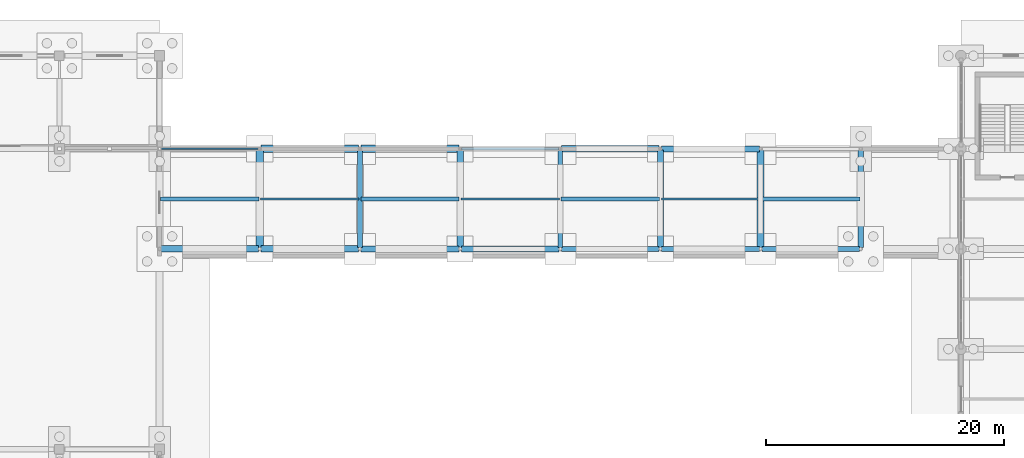
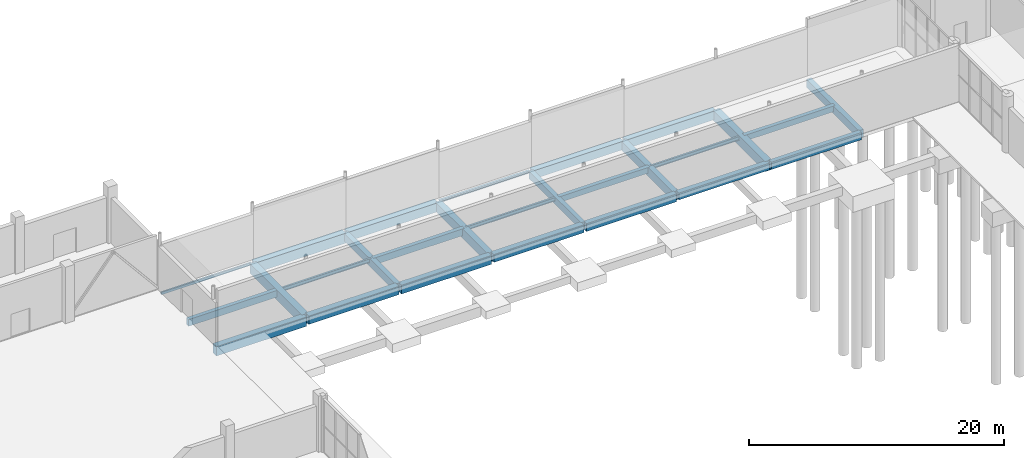
# One storey, part 45 of 82: 27 beams.
"""IFC4 building model written with IfcOpenShell, lengths in metres."""

from ifc_helpers import new_model, si_unit, derived_unit, direction, frame, origin, origin_2d, place, context, subcontext, project, spatial, rectangle, hollow_rectangle, i_section, extrude, material, material_profile, profile_set, type_object, element, save


model = new_model("IFC4")

# Units and contexts
model_context = context("Model", 3, precision=1e-05, world=origin(), true_north=direction((0.0, 1.0)))
body_context = subcontext(model_context, "Body", "Model", "MODEL_VIEW")
ifc_project = project(units=[si_unit("LENGTHUNIT", "METRE"), si_unit("AREAUNIT", "SQUARE_METRE"), si_unit("VOLUMEUNIT", "CUBIC_METRE"), si_unit("PLANEANGLEUNIT", "RADIAN"), si_unit("MASSUNIT", "GRAM", prefix="KILO"), derived_unit("THERMALTRANSMITTANCEUNIT", [(si_unit("POWERUNIT", "WATT"), 1), (si_unit("LENGTHUNIT", "METRE"), -2), (si_unit("THERMODYNAMICTEMPERATUREUNIT", "KELVIN"), -1)])], contexts=[model_context])

# Site, building, storey
site_placement = place(None, origin())
site = spatial("IfcSite", under=ifc_project, at=site_placement, CompositionType="ELEMENT")
building_placement = place(site_placement, origin())
building = spatial("IfcBuilding", under=site, at=building_placement, Name="Barrovel Congress Hotel", CompositionType="ELEMENT")
storey_placement = place(building_placement, origin())
storey = spatial("IfcBuildingStorey", under=building, at=storey_placement, Name="L00", CompositionType="ELEMENT", Elevation=0.0)

# Beams
ifc_material_1 = material(Name="Concrete C40", Category="concrete")
ifc_material_profile_1 = material_profile(ifc_material_1, rectangle(XDim=0.35009765625, YDim=0.550048828125, at=origin_2d()), Name="RC350x550")
ifc_profile_set_1 = profile_set([ifc_material_profile_1], Name="Concrete C40")
beam_type_1 = type_object("IfcBeamType", Name="BM-RC350x550", PredefinedType="JOIST", material=ifc_profile_set_1)
for number, where, z_axis, x_axis, name in (
    (1, (92.47998046875, 100.800048828125, -0.594970703125), (1.0, 0.0, 0.0), (0.0, 1.0, 0.0), "JST:L00:92.4:100.8"),
    (2, (109.280029296875, 100.800048828125, -0.594970703125), (1.0, 0.0, 0.0), (0.0, 1.0, 0.0), "JST:L00:109.2:100.8"),
):
    element("IfcBeam", number, at=place(storey_placement, frame(where, z_axis=z_axis, x_axis=x_axis)), inside=storey, type_object=beam_type_1, Name=name, PredefinedType="JOIST", context=body_context, shape_type="SweptSolid", body=[
        extrude(rectangle(XDim=0.35009765625, YDim=0.550048828125, at=origin_2d()), origin(), (0.0, 0.0, 1.0), 8.239990234375),
    ])
ifc_material_profile_2 = material_profile(ifc_material_1, rectangle(XDim=0.35009765625, YDim=0.64990234375, at=origin_2d()), Name="RC350x650")
ifc_profile_set_2 = profile_set([ifc_material_profile_2], Name="Concrete C40")
beam_type_2 = type_object("IfcBeamType", Name="BM-RC350x650", PredefinedType="JOIST", material=ifc_profile_set_2)
beam_1_placement = place(storey_placement, frame((58.8798828125, 100.800048828125, -0.64501953125), z_axis=(1.0, 0.0, 0.0), x_axis=(0.0, 1.0, 0.0)))
element("IfcBeam", 3, at=beam_1_placement, inside=storey, type_object=beam_type_2, Name="JST:L00:58.8:100.8", PredefinedType="JOIST", context=body_context, shape_type="SweptSolid", body=[
    extrude(rectangle(XDim=0.35009765625, YDim=0.64990234375, at=origin_2d()), origin(), (0.0, 0.0, 1.0), 8.240234375),
])
beam_2_placement = place(storey_placement, frame((75.679931640625, 100.800048828125, -0.64501953125), z_axis=(1.0, 0.0, 0.0), x_axis=(0.0, 1.0, 0.0)))
element("IfcBeam", 4, at=beam_2_placement, inside=storey, type_object=beam_type_2, Name="JST:L00:75.6:100.8", PredefinedType="JOIST", context=body_context, shape_type="SweptSolid", body=[
    extrude(rectangle(XDim=0.35009765625, YDim=0.64990234375, at=origin_2d()), origin(), (0.0, 0.0, 1.0), 8.239990234375),
])
ifc_material_profile_3 = material_profile(ifc_material_1, rectangle(XDim=0.39990234375, YDim=0.699951171875, at=origin_2d()), Name="RC400x700")
ifc_profile_set_3 = profile_set([ifc_material_profile_3], Name="Concrete C40")
beam_type_3 = type_object("IfcBeamType", Name="BM-RC400x700", PredefinedType="BEAM", material=ifc_profile_set_3)
for number, where, z_axis, x_axis, name in (
    (5, (109.3095703125, 96.60009765625, -0.669921875), (1.0, 0.0, 0.0), (0.0, 1.0, 0.0), "BMX:L00:96.6:109.2-117.6"),
    (6, (92.39990234375, 96.70947265625, -0.669921875), (0.0, 1.0, 0.0), (-1.0, 0.0, 0.0), "BMY:L00:92.4:96.6-105.0"),
):
    element("IfcBeam", number, at=place(storey_placement, frame(where, z_axis=z_axis, x_axis=x_axis)), inside=storey, type_object=beam_type_3, Name=name, PredefinedType="BEAM", context=body_context, shape_type="SweptSolid", body=[
        extrude(rectangle(XDim=0.39990234375, YDim=0.699951171875, at=origin_2d()), origin(), (0.0, 0.0, 1.0), 8.180908203125),
    ])
ifc_material_profile_4 = material_profile(ifc_material_1, rectangle(XDim=0.449951171875, YDim=0.64990234375, at=origin_2d()), Name="RC450x650")
ifc_profile_set_4 = profile_set([ifc_material_profile_4], Name="Concrete C40")
beam_type_4 = type_object("IfcBeamType", Name="BM-RC450x650", PredefinedType="BEAM", material=ifc_profile_set_4)
beam_3_placement = place(storey_placement, frame((100.909423828125, 96.60009765625, -0.64501953125), z_axis=(1.0, 0.0, 0.0), x_axis=(0.0, 1.0, 0.0)))
element("IfcBeam", 7, at=beam_3_placement, inside=storey, type_object=beam_type_4, Name="BMX:L00:96.6:100.8-109.2", PredefinedType="BEAM", context=body_context, shape_type="SweptSolid", body=[
    extrude(rectangle(XDim=0.449951171875, YDim=0.64990234375, at=origin_2d()), origin(), (0.0, 0.0, 1.0), 8.18115234375),
])
ifc_material_profile_5 = material_profile(ifc_material_1, rectangle(XDim=0.449951171875, YDim=0.75, at=origin_2d()), Name="RC450x750")
ifc_profile_set_5 = profile_set([ifc_material_profile_5], Name="Concrete C40")
beam_type_5 = type_object("IfcBeamType", Name="BM-RC450x750", PredefinedType="BEAM", material=ifc_profile_set_5)
for number, where, z_axis, x_axis, name in (
    (8, (92.509521484375, 96.60009765625, -0.695068359375), (1.0, 0.0, 0.0), (0.0, 1.0, 0.0), "BMX:L00:96.6:92.4-100.8"),
    (9, (75.60009765625, 96.70947265625, -0.695068359375), (0.0, 1.0, 0.0), (-1.0, 0.0, 0.0), "BMY:L00:75.6:96.6-105.0"),
    (10, (117.60009765625, 96.70947265625, -0.695068359375), (0.0, 1.0, 0.0), (-1.0, 0.0, 0.0), "BMY:L00:117.6:96.6-105.0"),
):
    element("IfcBeam", number, at=place(storey_placement, frame(where, z_axis=z_axis, x_axis=x_axis)), inside=storey, type_object=beam_type_5, Name=name, PredefinedType="BEAM", context=body_context, shape_type="SweptSolid", body=[
        extrude(rectangle(XDim=0.449951171875, YDim=0.75, at=origin_2d()), origin(), (0.0, 0.0, 1.0), 8.180908203125),
    ])
ifc_material_profile_6 = material_profile(ifc_material_1, rectangle(XDim=0.5, YDim=0.75, at=origin_2d()), Name="RC500x750")
ifc_profile_set_6 = profile_set([ifc_material_profile_6], Name="Concrete C40")
beam_type_6 = type_object("IfcBeamType", Name="BM-RC500x750", PredefinedType="BEAM", material=ifc_profile_set_6)
beam_4_placement = place(storey_placement, frame((84.109619140625, 96.60009765625, -0.695068359375), z_axis=(1.0, 0.0, 0.0), x_axis=(0.0, 1.0, 0.0)))
element("IfcBeam", 11, at=beam_4_placement, inside=storey, type_object=beam_type_6, Name="BMX:L00:96.6:84.0-92.4", PredefinedType="BEAM", context=body_context, shape_type="SweptSolid", body=[
    extrude(rectangle(XDim=0.5, YDim=0.75, at=origin_2d()), origin(), (0.0, 0.0, 1.0), 8.180908203125),
])
ifc_material_profile_7 = material_profile(ifc_material_1, rectangle(XDim=0.5, YDim=0.85009765625, at=origin_2d()), Name="RC500x850")
ifc_profile_set_7 = profile_set([ifc_material_profile_7], Name="Concrete C40")
beam_type_7 = type_object("IfcBeamType", Name="BM-RC500x850", PredefinedType="BEAM", material=ifc_profile_set_7)
beam_5_placement = place(storey_placement, frame((75.70947265625, 96.60009765625, -0.7451171875), z_axis=(1.0, 0.0, 0.0), x_axis=(0.0, 1.0, 0.0)))
element("IfcBeam", 12, at=beam_5_placement, inside=storey, type_object=beam_type_7, Name="BMX:L00:96.6:75.6-84.0", PredefinedType="BEAM", context=body_context, shape_type="SweptSolid", body=[
    extrude(rectangle(XDim=0.5, YDim=0.85009765625, at=origin_2d()), origin(), (0.0, 0.0, 1.0), 8.180908203125),
])
beam_6_placement = place(storey_placement, frame((100.909423828125, 105.0, -0.7451171875), z_axis=(1.0, 0.0, 0.0), x_axis=(0.0, 1.0, 0.0)))
element("IfcBeam", 13, at=beam_6_placement, inside=storey, type_object=beam_type_7, Name="BMX:L00:105.0:100.8-109.2", PredefinedType="BEAM", context=body_context, shape_type="SweptSolid", body=[
    extrude(rectangle(XDim=0.5, YDim=0.85009765625, at=origin_2d()), origin(), (0.0, 0.0, 1.0), 8.18115234375),
])
beam_7_placement = place(storey_placement, frame((100.800048828125, 96.70947265625, -0.7451171875), z_axis=(0.0, 1.0, 0.0), x_axis=(-1.0, 0.0, 0.0)))
element("IfcBeam", 14, at=beam_7_placement, inside=storey, type_object=beam_type_7, Name="BMY:L00:100.8:96.6-105.0", PredefinedType="BEAM", context=body_context, shape_type="SweptSolid", body=[
    extrude(rectangle(XDim=0.5, YDim=0.85009765625, at=origin_2d()), origin(), (0.0, 0.0, 1.0), 8.180908203125),
])
ifc_material_profile_8 = material_profile(ifc_material_1, rectangle(XDim=0.550048828125, YDim=0.800048828125, at=origin_2d()), Name="RC550x800")
ifc_profile_set_8 = profile_set([ifc_material_profile_8], Name="Concrete C40")
beam_type_8 = type_object("IfcBeamType", Name="BM-RC550x800", PredefinedType="BEAM", material=ifc_profile_set_8)
for number, where, z_axis, x_axis, name in (
    (15, (67.3095703125, 96.60009765625, -0.719970703125), (1.0, 0.0, 0.0), (0.0, 1.0, 0.0), "BMX:L00:96.6:67.2-75.6"),
    (16, (92.509521484375, 105.0, -0.719970703125), (1.0, 0.0, 0.0), (0.0, 1.0, 0.0), "BMX:L00:105.0:92.4-100.8"),
):
    element("IfcBeam", number, at=place(storey_placement, frame(where, z_axis=z_axis, x_axis=x_axis)), inside=storey, type_object=beam_type_8, Name=name, PredefinedType="BEAM", context=body_context, shape_type="SweptSolid", body=[
        extrude(rectangle(XDim=0.550048828125, YDim=0.800048828125, at=origin_2d()), origin(), (0.0, 0.0, 1.0), 8.180908203125),
    ])
ifc_material_profile_9 = material_profile(ifc_material_1, rectangle(XDim=0.550048828125, YDim=0.89990234375, at=origin_2d()), Name="RC550x900")
ifc_profile_set_9 = profile_set([ifc_material_profile_9], Name="Concrete C40")
beam_type_9 = type_object("IfcBeamType", Name="BM-RC550x900", PredefinedType="BEAM", material=ifc_profile_set_9)
beam_8_placement = place(storey_placement, frame((58.909423828125, 96.60009765625, -0.77001953125), z_axis=(1.0, 0.0, 0.0), x_axis=(0.0, 1.0, 0.0)))
element("IfcBeam", 17, at=beam_8_placement, inside=storey, type_object=beam_type_9, Name="BMX:L00:96.6:58.8-67.2", PredefinedType="BEAM", context=body_context, shape_type="SweptSolid", body=[
    extrude(rectangle(XDim=0.550048828125, YDim=0.89990234375, at=origin_2d()), origin(), (0.0, 0.0, 1.0), 8.18115234375),
])
beam_9_placement = place(storey_placement, frame((84.0, 96.70947265625, -0.77001953125), z_axis=(0.0, 1.0, 0.0), x_axis=(-1.0, 0.0, 0.0)))
element("IfcBeam", 18, at=beam_9_placement, inside=storey, type_object=beam_type_9, Name="BMY:L00:84.0:96.6-105.0", PredefinedType="BEAM", context=body_context, shape_type="SweptSolid", body=[
    extrude(rectangle(XDim=0.550048828125, YDim=0.89990234375, at=origin_2d()), origin(), (0.0, 0.0, 1.0), 8.180908203125),
])
ifc_material_profile_10 = material_profile(ifc_material_1, rectangle(XDim=0.60009765625, YDim=0.85009765625, at=origin_2d()), Name="RC600x850")
ifc_profile_set_10 = profile_set([ifc_material_profile_10], Name="Concrete C40")
beam_type_10 = type_object("IfcBeamType", Name="BM-RC600x850", PredefinedType="BEAM", material=ifc_profile_set_10)
beam_10_placement = place(storey_placement, frame((75.70947265625, 105.0, -0.7451171875), z_axis=(1.0, 0.0, 0.0), x_axis=(0.0, 1.0, 0.0)))
element("IfcBeam", 19, at=beam_10_placement, inside=storey, type_object=beam_type_10, Name="BMX:L00:105.0:75.6-84.0", PredefinedType="BEAM", context=body_context, shape_type="SweptSolid", body=[
    extrude(rectangle(XDim=0.60009765625, YDim=0.85009765625, at=origin_2d()), origin(), (0.0, 0.0, 1.0), 8.180908203125),
])
ifc_material_profile_11 = material_profile(ifc_material_1, rectangle(XDim=0.60009765625, YDim=0.949951171875, at=origin_2d()), Name="RC600x950")
ifc_profile_set_11 = profile_set([ifc_material_profile_11], Name="Concrete C40")
beam_type_11 = type_object("IfcBeamType", Name="BM-RC600x950", PredefinedType="BEAM", material=ifc_profile_set_11)
for number, where, z_axis, x_axis, name in (
    (20, (67.3095703125, 105.0, -0.794921875), (1.0, 0.0, 0.0), (0.0, 1.0, 0.0), "BMX:L00:105.0:67.2-75.6"),
    (21, (67.199951171875, 96.70947265625, -0.794921875), (0.0, 1.0, 0.0), (-1.0, 0.0, 0.0), "BMY:L00:67.2:96.6-105.0"),
    (22, (109.199951171875, 96.70947265625, -0.794921875), (0.0, 1.0, 0.0), (-1.0, 0.0, 0.0), "BMY:L00:109.2:96.6-105.0"),
):
    element("IfcBeam", number, at=place(storey_placement, frame(where, z_axis=z_axis, x_axis=x_axis)), inside=storey, type_object=beam_type_11, Name=name, PredefinedType="BEAM", context=body_context, shape_type="SweptSolid", body=[
        extrude(rectangle(XDim=0.60009765625, YDim=0.949951171875, at=origin_2d()), origin(), (0.0, 0.0, 1.0), 8.180908203125),
    ])
ifc_material_2 = material(Name="Steel ASTM A500 Grade C", Category="steel")
ifc_material_profile_12 = material_profile(ifc_material_2, hollow_rectangle(XDim=0.15234375, YDim=0.25390625, WallThickness=0.0087890625, InnerFilletRadius=0.0087890625, OuterFilletRadius=0.017578125, at=origin_2d()), Name="HSS254x152x9.5")
ifc_profile_set_12 = profile_set([ifc_material_profile_12], Name="Steel ASTM A500 Grade C")
beam_type_12 = type_object("IfcBeamType", Name="SBM-HSS254x152x9.5", PredefinedType="SPANDREL", material=ifc_profile_set_12)
beam_11_placement = place(storey_placement, frame((58.909423828125, 105.0, -0.447021484375), z_axis=(1.0, 0.0, 0.0), x_axis=(0.0, 1.0, 0.0)))
element("IfcBeam", 23, at=beam_11_placement, inside=storey, type_object=beam_type_12, Name="BMX:L00:105.0:58.8-67.2", PredefinedType="SPANDREL", context=body_context, shape_type="SweptSolid", body=[
    extrude(hollow_rectangle(XDim=0.15234375, YDim=0.25390625, WallThickness=0.0087890625, InnerFilletRadius=0.0087890625, OuterFilletRadius=0.017578125, at=origin_2d()), origin(), (0.0, 0.0, 1.0), 8.18115234375),
])
ifc_material_3 = material(Name="Steel ASTM A992 Grade 50", Category="steel")
ifc_material_profile_13 = material_profile(ifc_material_3, i_section(OverallWidth=0.201904296875, OverallDepth=0.2470703125, WebThickness=0.00732421875, FlangeThickness=0.010986328125, FilletRadius=0.011962890625, at=origin_2d()), Name="W250x49")
ifc_profile_set_13 = profile_set([ifc_material_profile_13], Name="Steel ASTM A992 Grade 50")
beam_type_13 = type_object("IfcBeamType", Name="SBM-W250x49", PredefinedType="SPANDREL", material=ifc_profile_set_13)
beam_12_placement = place(storey_placement, frame((84.109619140625, 105.0, -0.443603515625), z_axis=(1.0, 0.0, 0.0), x_axis=(0.0, 1.0, 0.0)))
element("IfcBeam", 24, at=beam_12_placement, inside=storey, type_object=beam_type_13, Name="BMX:L00:105.0:84.0-92.4", PredefinedType="SPANDREL", context=body_context, shape_type="SweptSolid", body=[
    extrude(i_section(OverallWidth=0.201904296875, OverallDepth=0.2470703125, WebThickness=0.00732421875, FlangeThickness=0.010986328125, FilletRadius=0.011962890625, at=origin_2d()), origin(), (0.0, 0.0, 1.0), 8.180908203125),
])
ifc_material_profile_14 = material_profile(ifc_material_3, i_section(OverallWidth=0.172119140625, OverallDepth=0.35791015625, WebThickness=0.0078125, FlangeThickness=0.01318359375, FilletRadius=0.011962890625, at=origin_2d()), Name="W360x57")
ifc_profile_set_14 = profile_set([ifc_material_profile_14], Name="Steel ASTM A992 Grade 50")
beam_type_14 = type_object("IfcBeamType", Name="SBM-W360x57", PredefinedType="JOIST", material=ifc_profile_set_14)
for number, where, z_axis, x_axis, name in (
    (25, (67.280029296875, 100.800048828125, -0.4990234375), (1.0, 0.0, 0.0), (0.0, 1.0, 0.0), "JST:L00:67.2:100.8"),
    (26, (84.080078125, 100.800048828125, -0.4990234375), (1.0, 0.0, 0.0), (0.0, 1.0, 0.0), "JST:L00:84.0:100.8"),
):
    element("IfcBeam", number, at=place(storey_placement, frame(where, z_axis=z_axis, x_axis=x_axis)), inside=storey, type_object=beam_type_14, Name=name, PredefinedType="JOIST", context=body_context, shape_type="SweptSolid", body=[
        extrude(i_section(OverallWidth=0.172119140625, OverallDepth=0.35791015625, WebThickness=0.0078125, FlangeThickness=0.01318359375, FilletRadius=0.011962890625, at=origin_2d()), origin(), (0.0, 0.0, 1.0), 8.239990234375),
    ])
beam_13_placement = place(storey_placement, frame((100.8798828125, 100.800048828125, -0.4990234375), z_axis=(1.0, 0.0, 0.0), x_axis=(0.0, 1.0, 0.0)))
element("IfcBeam", 27, at=beam_13_placement, inside=storey, type_object=beam_type_14, Name="JST:L00:100.8:100.8", PredefinedType="JOIST", context=body_context, shape_type="SweptSolid", body=[
    extrude(i_section(OverallWidth=0.172119140625, OverallDepth=0.35791015625, WebThickness=0.0078125, FlangeThickness=0.01318359375, FilletRadius=0.011962890625, at=origin_2d()), origin(), (0.0, 0.0, 1.0), 8.240234375),
])

save(model, "model.ifc")
